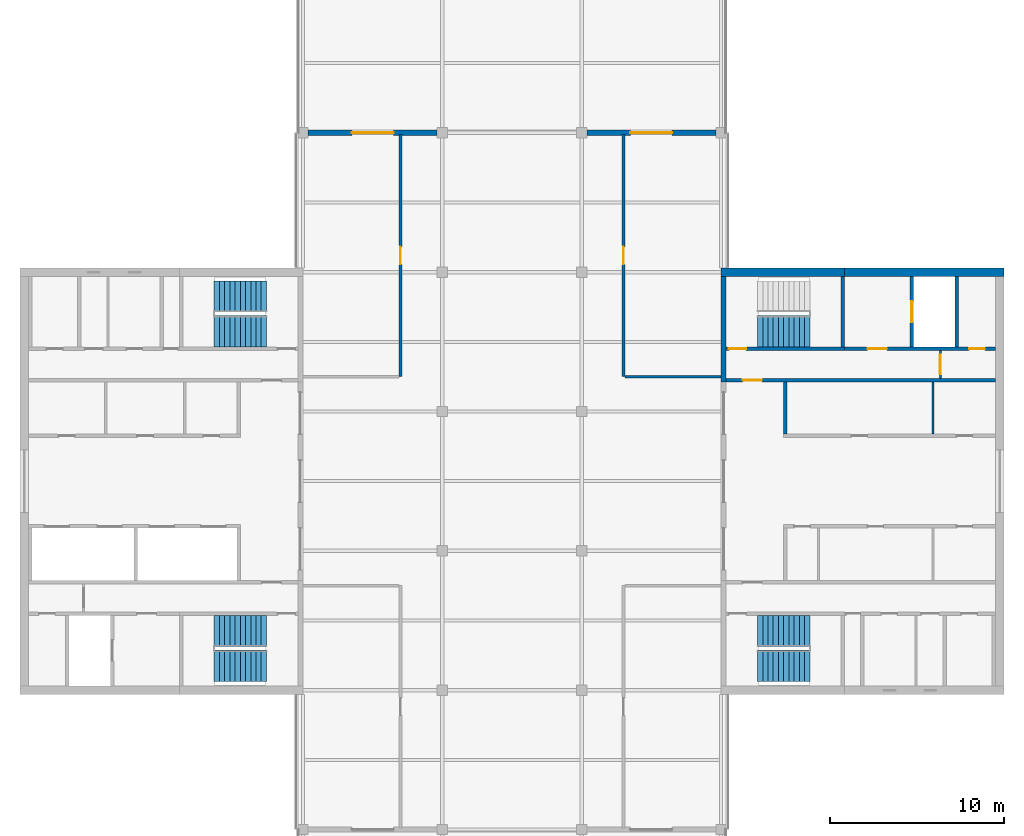
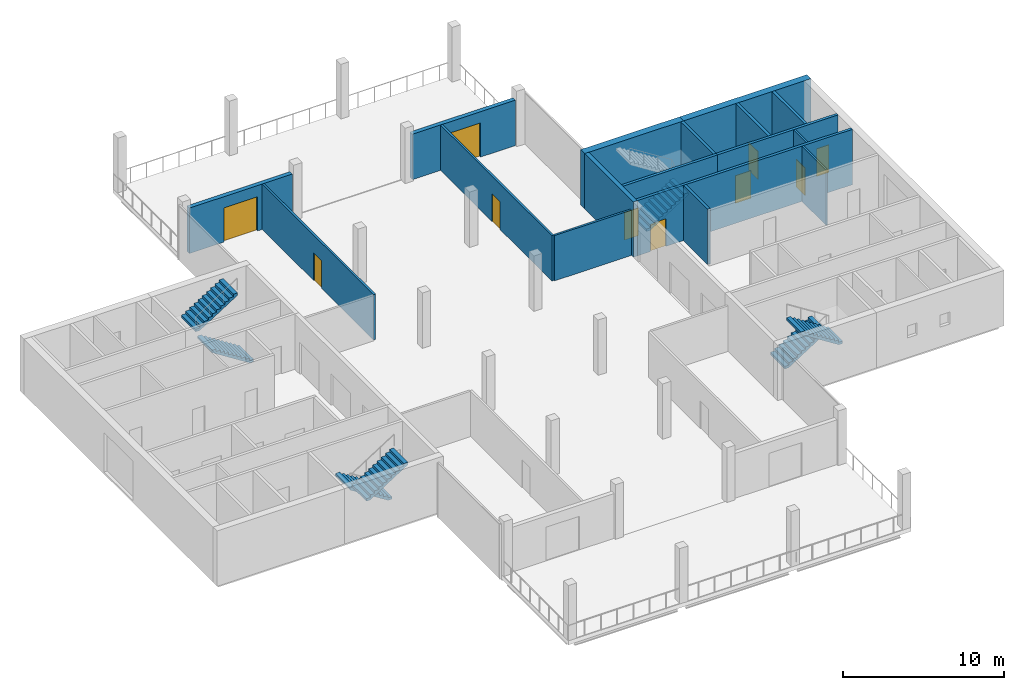
# One storey, part 10 of 12: 17 walls, 10 doors, 7 stair flights, 10 openings, 4 elements without a shape of their own.
"""IFC4 building model written with IfcOpenShell, lengths in metres."""

from ifc_helpers import new_model, si_unit, direction, frame, frame_2d, origin, place, context, subcontext, project, spatial, polyline, rectangle, outline, extrude, material, layer, layer_set, constituent, constituent_set, type_object, element, fill, aggregate, save


model = new_model("IFC4")

# Units and contexts
model_context = context("Model", 3, precision=1e-05, world=origin(), true_north=direction((0.0, 1.0)))
body_context = subcontext(model_context, "Body", "Model", "MODEL_VIEW")
ifc_project = project(units=[si_unit("LENGTHUNIT", "METRE"), si_unit("AREAUNIT", "SQUARE_METRE"), si_unit("VOLUMEUNIT", "CUBIC_METRE"), si_unit("PLANEANGLEUNIT", "RADIAN"), si_unit("MASSUNIT", "GRAM", prefix="KILO")], contexts=[model_context])

# Site, building, storey
site_placement = place(None, origin())
site = spatial("IfcSite", under=ifc_project, at=site_placement, CompositionType="ELEMENT")
building_placement = place(site_placement, origin())
building = spatial("IfcBuilding", under=site, at=building_placement, Name="Crosswind Convention Tower", CompositionType="ELEMENT")
storey_placement = place(building_placement, frame((0.0, 0.0, 328.10009765625)))
storey = spatial("IfcBuildingStorey", under=building, at=storey_placement, Name="L71", CompositionType="ELEMENT", Elevation=328.10009765625)

# Walls
ifc_material_1 = material(Name="Concrete C50/60", Category="concrete")
ifc_layer_1 = layer(ifc_material_1, 0.300048828125)
ifc_layer_set_1 = layer_set([ifc_layer_1], Name="Concrete C50/60")
wall_type_1 = type_object("IfcWallType", Name="Concrete inner core wall 300", PredefinedType="SHEAR", material=ifc_layer_set_1)
wall_1_placement = place(storey_placement, frame((137.14990234375, 105.699951171875, 0.0), z_axis=(0.0, 0.0, 1.0), x_axis=(0.0, 1.0, 0.0)))
element("IfcWall", 1, at=wall_1_placement, inside=storey, type_object=wall_type_1, Name="Wall EP E L71", PredefinedType="SHEAR", context=body_context, shape_type="SweptSolid", body=[
    extrude(rectangle(XDim=6.050048828125, YDim=0.300048828125, at=frame_2d((3.02490234375, 0.0))), origin(), (0.0, 0.0, 1.0), 4.199951171875),
])
ifc_layer_2 = layer(ifc_material_1, 0.199951171875)
ifc_layer_set_2 = layer_set([ifc_layer_2], Name="Concrete C50/60")
wall_type_2 = type_object("IfcWallType", Name="Concrete shaft and stair wall 200", PredefinedType="SHEAR", material=ifc_layer_set_2)
wall_2_placement = place(storey_placement, frame((140.699951171875, 102.699951171875, 0.0), z_axis=(0.0, 0.0, 1.0), x_axis=(0.0, 1.0, 0.0)))
element("IfcWall", 2, at=wall_2_placement, inside=storey, type_object=wall_type_2, Name="Wall RPEND E L71", PredefinedType="SHEAR", context=body_context, shape_type="SweptSolid", body=[
    extrude(rectangle(XDim=3.0, YDim=0.199951171875, at=frame_2d((1.5, 0.0))), origin(), (0.0, 0.0, 1.0), 4.199951171875),
])

# Wall, opening, door
wall_3_placement = place(storey_placement, frame((137.300048828125, 105.800048828125, 0.0), z_axis=(0.0, 0.0, 1.0), x_axis=(1.0, 0.0, 0.0)))
wall_3 = element("IfcWall", 3, at=wall_3_placement, inside=storey, type_object=wall_type_2, Name="Wall HP E L71", PredefinedType="SHEAR", context=body_context, shape_type="SweptSolid", body=[
    extrude(rectangle(XDim=15.449951171875, YDim=0.199951171875, at=frame_2d((7.72509765625, 0.0))), origin(), (0.0, 0.0, 1.0), 4.199951171875),
])
opening_1_placement = place(wall_3_placement, frame((0.949951171875, 0.0, 0.0)))
opening_1 = element("IfcOpeningElement", 4, at=opening_1_placement, cuts=wall_3, Name="Opening D104", PredefinedType="OPENING", context=body_context, shape_type="SweptSolid", body=[
    extrude(rectangle(XDim=1.10009765625, YDim=2.10009765625, at=frame_2d((0.550048828125, 1.050048828125))), frame((0.0, 0.10986328125, 0.0), z_axis=(0.0, -1.0, 0.0), x_axis=(1.0, 0.0, 0.0)), (0.0, 0.0, 1.0), 0.219970703125),
])
ifc_material_2 = material(Name="Steel fire door", Category="steel")
door_type_1 = type_object("IfcDoorType", Name="Fire-rated single door 1100x2100", OperationType="NOTDEFINED", PredefinedType="DOOR", material=ifc_material_2)
door_1_placement = place(opening_1_placement, origin())
door_1 = element("IfcDoor", 5, at=door_1_placement, inside=storey, type_object=door_type_1, Name="Corridor door L71", ObjectType="D104", OperationType="SINGLE_SWING_LEFT", OverallHeight=2.10009765625, OverallWidth=1.10009765625, PredefinedType="DOOR", context=body_context, shape_type="SweptSolid", body=[
    extrude(rectangle(XDim=1.10009765625, YDim=2.10009765625, at=frame_2d((0.550048828125, 1.050048828125))), frame((0.0, 0.02490234375, 0.0), z_axis=(0.0, -1.0, 0.0), x_axis=(1.0, 0.0, 0.0)), (0.0, 0.0, 1.0), 0.050048828125),
])
fill(opening_1, door_1)

# Wall
wall_4_placement = place(storey_placement, frame((144.0, 107.699951171875, 0.0), z_axis=(0.0, 0.0, 1.0), x_axis=(0.0, 1.0, 0.0)))
element("IfcWall", 6, at=wall_4_placement, inside=storey, type_object=wall_type_2, Name="Wall PSE E L71", PredefinedType="SHEAR", context=body_context, shape_type="SweptSolid", body=[
    extrude(rectangle(XDim=4.050048828125, YDim=0.199951171875, at=frame_2d((2.02490234375, 0.0))), origin(), (0.0, 0.0, 1.0), 4.199951171875),
])

# Wall, opening, door
wall_5_placement = place(storey_placement, frame((147.949951171875, 107.699951171875, 0.0), z_axis=(0.0, 0.0, 1.0), x_axis=(0.0, 1.0, 0.0)))
wall_5 = element("IfcWall", 7, at=wall_5_placement, inside=storey, type_object=wall_type_2, Name="Wall PFLW E L71", PredefinedType="SHEAR", context=body_context, shape_type="SweptSolid", body=[
    extrude(rectangle(XDim=4.050048828125, YDim=0.199951171875, at=frame_2d((2.02490234375, 0.0))), origin(), (0.0, 0.0, 1.0), 4.199951171875),
])
opening_2_placement = place(wall_5_placement, frame((1.425048828125, 0.0, 0.0)))
opening_2 = element("IfcOpeningElement", 8, at=opening_2_placement, cuts=wall_5, Name="Opening LD1", PredefinedType="OPENING", context=body_context, shape_type="SweptSolid", body=[
    extrude(rectangle(XDim=1.199951171875, YDim=2.10009765625, at=frame_2d((0.60009765625, 1.050048828125))), frame((0.0, 0.10986328125, 0.0), z_axis=(0.0, -1.0, 0.0), x_axis=(1.0, 0.0, 0.0)), (0.0, 0.0, 1.0), 0.219970703125),
])
ifc_material_3 = material(Name="Stainless steel", Category="steel")
door_type_2 = type_object("IfcDoorType", Name="Lift landing door 1200x2100", OperationType="DOUBLE_DOOR_SLIDING", PredefinedType="DOOR", material=ifc_material_3)
door_2_placement = place(opening_2_placement, origin())
door_2 = element("IfcDoor", 9, at=door_2_placement, inside=storey, type_object=door_type_2, Name="Landing door FF1 L71", ObjectType="LD1", OperationType="DOUBLE_DOOR_SLIDING", OverallHeight=2.10009765625, OverallWidth=1.199951171875, PredefinedType="DOOR", context=body_context, shape_type="SweptSolid", body=[
    extrude(rectangle(XDim=1.199951171875, YDim=2.10009765625, at=frame_2d((0.60009765625, 1.050048828125))), frame((0.0, 0.02490234375, 0.0), z_axis=(0.0, -1.0, 0.0), x_axis=(1.0, 0.0, 0.0)), (0.0, 0.0, 1.0), 0.050048828125),
])
fill(opening_2, door_2)

# Wall
wall_6_placement = place(storey_placement, frame((150.550048828125, 107.699951171875, 0.0), z_axis=(0.0, 0.0, 1.0), x_axis=(0.0, 1.0, 0.0)))
element("IfcWall", 10, at=wall_6_placement, inside=storey, type_object=wall_type_2, Name="Wall PFSE E L71", PredefinedType="SHEAR", context=body_context, shape_type="SweptSolid", body=[
    extrude(rectangle(XDim=4.050048828125, YDim=0.199951171875, at=frame_2d((2.02490234375, 0.0))), origin(), (0.0, 0.0, 1.0), 4.199951171875),
])

# Wall, opening, door
wall_7_placement = place(storey_placement, frame((137.300048828125, 107.60009765625, 0.0), z_axis=(0.0, 0.0, 1.0), x_axis=(1.0, 0.0, 0.0)))
wall_7 = element("IfcWall", 11, at=wall_7_placement, inside=storey, type_object=wall_type_2, Name="Wall PCW E L71", PredefinedType="SHEAR", context=body_context, shape_type="SweptSolid", body=[
    extrude(rectangle(XDim=6.800048828125, YDim=0.199951171875, at=frame_2d((3.39990234375, 0.0))), origin(), (0.0, 0.0, 1.0), 4.199951171875),
])
opening_3_placement = place(wall_7_placement, frame((0.14990234375, 0.0, 0.0)))
opening_3 = element("IfcOpeningElement", 12, at=opening_3_placement, cuts=wall_7, Name="Opening D103", PredefinedType="OPENING", context=body_context, shape_type="SweptSolid", body=[
    extrude(rectangle(XDim=1.0, YDim=2.10009765625, at=frame_2d((0.5, 1.050048828125))), frame((0.0, 0.10986328125, 0.0), z_axis=(0.0, -1.0, 0.0), x_axis=(1.0, 0.0, 0.0)), (0.0, 0.0, 1.0), 0.219970703125),
])
door_type_3 = type_object("IfcDoorType", Name="Fire-rated single door 1000x2100", OperationType="NOTDEFINED", PredefinedType="DOOR", material=ifc_material_2)
door_3_placement = place(opening_3_placement, origin())
door_3 = element("IfcDoor", 13, at=door_3_placement, inside=storey, type_object=door_type_3, Name="Stair ST1 door L71", ObjectType="D103", OperationType="SINGLE_SWING_LEFT", OverallHeight=2.10009765625, OverallWidth=1.0, PredefinedType="DOOR", context=body_context, shape_type="SweptSolid", body=[
    extrude(rectangle(XDim=1.0, YDim=2.10009765625, at=frame_2d((0.5, 1.050048828125))), frame((0.0, 0.02490234375, 0.0), z_axis=(0.0, -1.0, 0.0), x_axis=(1.0, 0.0, 0.0)), (0.0, 0.0, 1.0), 0.050048828125),
])
fill(opening_3, door_3)

# Wall, openings, doors
wall_8_placement = place(storey_placement, frame((144.10009765625, 107.60009765625, 0.0), z_axis=(0.0, 0.0, 1.0), x_axis=(1.0, 0.0, 0.0)))
wall_8 = element("IfcWall", 14, at=wall_8_placement, inside=storey, type_object=wall_type_2, Name="Wall PCX E L71", PredefinedType="SHEAR", context=body_context, shape_type="SweptSolid", body=[
    extrude(rectangle(XDim=8.64990234375, YDim=0.199951171875, at=frame_2d((4.324951171875, 0.0))), origin(), (0.0, 0.0, 1.0), 4.199951171875),
])
opening_4_placement = place(wall_8_placement, frame((1.324951171875, 0.0, 0.0)))
opening_4 = element("IfcOpeningElement", 15, at=opening_4_placement, cuts=wall_8, Name="Opening D104", PredefinedType="OPENING", context=body_context, shape_type="SweptSolid", body=[
    extrude(rectangle(XDim=1.10009765625, YDim=2.10009765625, at=frame_2d((0.550048828125, 1.050048828125))), frame((0.0, 0.10986328125, 0.0), z_axis=(0.0, -1.0, 0.0), x_axis=(1.0, 0.0, 0.0)), (0.0, 0.0, 1.0), 0.219970703125),
])
opening_5_placement = place(wall_8_placement, frame((7.14990234375, 0.0, 0.0)))
opening_5 = element("IfcOpeningElement", 16, at=opening_5_placement, cuts=wall_8, Name="Opening D106", PredefinedType="OPENING", context=body_context, shape_type="SweptSolid", body=[
    extrude(rectangle(XDim=0.89990234375, YDim=2.10009765625, at=frame_2d((0.449951171875, 1.050048828125))), frame((0.0, 0.10986328125, 0.0), z_axis=(0.0, -1.0, 0.0), x_axis=(1.0, 0.0, 0.0)), (0.0, 0.0, 1.0), 0.219970703125),
])
door_4_placement = place(opening_4_placement, origin())
door_4 = element("IfcDoor", 17, at=door_4_placement, inside=storey, type_object=door_type_1, Name="Fire-fighting lobby FF1 door L71", ObjectType="D104", OperationType="SINGLE_SWING_RIGHT", OverallHeight=2.10009765625, OverallWidth=1.10009765625, PredefinedType="DOOR", context=body_context, shape_type="SweptSolid", body=[
    extrude(rectangle(XDim=1.10009765625, YDim=2.10009765625, at=frame_2d((0.550048828125, 1.050048828125))), frame((0.0, 0.02490234375, 0.0), z_axis=(0.0, -1.0, 0.0), x_axis=(1.0, 0.0, 0.0)), (0.0, 0.0, 1.0), 0.050048828125),
])
fill(opening_4, door_4)
ifc_material_4 = material(Name="Timber door", Category="wood")
door_type_4 = type_object("IfcDoorType", Name="Single leaf door 900x2100", OperationType="NOTDEFINED", PredefinedType="DOOR", material=ifc_material_4)
door_5_placement = place(opening_5_placement, origin())
door_5 = element("IfcDoor", 18, at=door_5_placement, inside=storey, type_object=door_type_4, Name="Door to telecoms room L71", ObjectType="D106", OperationType="SINGLE_SWING_RIGHT", OverallHeight=2.10009765625, OverallWidth=0.89990234375, PredefinedType="DOOR", context=body_context, shape_type="SweptSolid", body=[
    extrude(rectangle(XDim=0.89990234375, YDim=2.10009765625, at=frame_2d((0.449951171875, 1.050048828125))), frame((0.0, 0.02490234375, 0.0), z_axis=(0.0, -1.0, 0.0), x_axis=(1.0, 0.0, 0.0)), (0.0, 0.0, 1.0), 0.050048828125),
])
fill(opening_5, door_5)

# Wall
ifc_material_5 = material(Name="Gypsum plasterboard partition", Category="gypsum")
ifc_layer_3 = layer(ifc_material_5, 0.125)
ifc_layer_set_3 = layer_set([ifc_layer_3], Name="Drywall partition wall 125")
wall_type_3 = type_object("IfcWallType", Name="Drywall partition wall 125", PredefinedType="PARTITIONING", material=ifc_layer_set_3)
wall_9_placement = place(storey_placement, frame((149.1650390625, 102.699951171875, 0.0), z_axis=(0.0, 0.0, 1.0), x_axis=(0.0, 1.0, 0.0)))
element("IfcWall", 19, at=wall_9_placement, inside=storey, type_object=wall_type_3, Name="Wall RPP1 E L71", PredefinedType="PARTITIONING", context=body_context, shape_type="SweptSolid", body=[
    extrude(rectangle(XDim=3.0, YDim=0.125, at=frame_2d((1.5, 0.0))), origin(), (0.0, 0.0, 1.0), 4.199951171875),
])

# Wall, opening, door
wall_10_placement = place(storey_placement, frame((149.60009765625, 105.89990234375, 0.0), z_axis=(0.0, 0.0, 1.0), x_axis=(0.0, 1.0, 0.0)))
wall_10 = element("IfcWall", 20, at=wall_10_placement, inside=storey, type_object=wall_type_3, Name="Wall PXC1 E L71", PredefinedType="PARTITIONING", context=body_context, shape_type="SweptSolid", body=[
    extrude(rectangle(XDim=1.60009765625, YDim=0.125, at=frame_2d((0.800048828125, 0.0))), origin(), (0.0, 0.0, 1.0), 4.199951171875),
])
opening_6_placement = place(wall_10_placement, frame((0.25, 0.0, 0.0)))
opening_6 = element("IfcOpeningElement", 21, at=opening_6_placement, cuts=wall_10, Name="Opening D104", PredefinedType="OPENING", context=body_context, shape_type="SweptSolid", body=[
    extrude(rectangle(XDim=1.10009765625, YDim=2.10009765625, at=frame_2d((0.550048828125, 1.050048828125))), frame((0.0, 0.072509765625, 0.0), z_axis=(0.0, -1.0, 0.0), x_axis=(1.0, 0.0, 0.0)), (0.0, 0.0, 1.0), 0.14501953125),
])
door_6_placement = place(opening_6_placement, origin())
door_6 = element("IfcDoor", 22, at=door_6_placement, inside=storey, type_object=door_type_1, Name="Corridor smoke door L71", ObjectType="D104", OperationType="SINGLE_SWING_RIGHT", OverallHeight=2.10009765625, OverallWidth=1.10009765625, PredefinedType="DOOR", context=body_context, shape_type="SweptSolid", body=[
    extrude(rectangle(XDim=1.10009765625, YDim=2.10009765625, at=frame_2d((0.550048828125, 1.050048828125))), frame((0.0, 0.02490234375, 0.0), z_axis=(0.0, -1.0, 0.0), x_axis=(1.0, 0.0, 0.0)), (0.0, 0.0, 1.0), 0.050048828125),
])
fill(opening_6, door_6)

ifc_material_6 = material(Name="Fire-board partition with mineral wool", Category="gypsum")
ifc_layer_4 = layer(ifc_material_6, 0.14990234375)
ifc_layer_set_4 = layer_set([ifc_layer_4], Name="TENANCY WALL 150 TWO-HOUR BOARD")
wall_type_4 = type_object("IfcWallType", Name="TENANCY WALL 150 TWO-HOUR BOARD", PredefinedType="PARTITIONING", material=ifc_layer_set_4)
wall_11_placement = place(storey_placement, frame((118.60009765625, 106.0, 0.0), z_axis=(0.0, 0.0, 1.0), x_axis=(0.0, 1.0, 0.0)))
wall_11 = element("IfcWall", 23, at=wall_11_placement, inside=storey, type_object=wall_type_4, Name="Tenancy wall WT41", PredefinedType="PARTITIONING", context=body_context, shape_type="SweptSolid", body=[
    extrude(rectangle(XDim=13.89990234375, YDim=0.14990234375, at=frame_2d((6.949951171875, 0.0))), origin(), (0.0, 0.0, 1.0), 3.442626953125),
])
opening_7_placement = place(wall_11_placement, frame((6.449951171875, 0.0, 0.0)))
opening_7 = element("IfcOpeningElement", 24, at=opening_7_placement, cuts=wall_11, Name="Opening L71-52", PredefinedType="OPENING", context=body_context, shape_type="SweptSolid", body=[
    extrude(rectangle(XDim=1.0, YDim=2.10009765625, at=frame_2d((0.5, 1.050048828125))), frame((0.0, 0.0849609375, 0.0), z_axis=(0.0, -1.0, 0.0), x_axis=(1.0, 0.0, 0.0)), (0.0, 0.0, 1.0), 0.169921875),
])
ifc_material_7 = material(Name="Timber fire door", Category="wood")
door_type_5 = type_object("IfcDoorType", Name="TENANCY ENTRANCE DOOR 1000X2100 FD30S", OperationType="NOTDEFINED", PredefinedType="DOOR", material=ifc_material_7)
door_7_placement = place(opening_7_placement, origin())
door_7 = element("IfcDoor", 25, at=door_7_placement, inside=storey, type_object=door_type_5, Name="Door L71-52", ObjectType="D41", OperationType="SINGLE_SWING_RIGHT", OverallHeight=2.10009765625, OverallWidth=1.0, PredefinedType="DOOR", context=body_context, shape_type="SweptSolid", body=[
    extrude(rectangle(XDim=1.0, YDim=2.10009765625, at=frame_2d((0.5, 1.050048828125))), frame((0.0, 0.02490234375, 0.0), z_axis=(0.0, -1.0, 0.0), x_axis=(1.0, 0.0, 0.0)), (0.0, 0.0, 1.0), 0.050048828125),
])
fill(opening_7, door_7)

wall_12_placement = place(storey_placement, frame((131.39990234375, 106.0, 0.0), z_axis=(0.0, 0.0, 1.0), x_axis=(0.0, 1.0, 0.0)))
wall_12 = element("IfcWall", 26, at=wall_12_placement, inside=storey, type_object=wall_type_4, Name="Tenancy wall WT41", PredefinedType="PARTITIONING", context=body_context, shape_type="SweptSolid", body=[
    extrude(rectangle(XDim=13.89990234375, YDim=0.14990234375, at=frame_2d((6.949951171875, 0.0))), origin(), (0.0, 0.0, 1.0), 3.442626953125),
])
opening_8_placement = place(wall_12_placement, frame((6.449951171875, 0.0, 0.0)))
opening_8 = element("IfcOpeningElement", 27, at=opening_8_placement, cuts=wall_12, Name="Opening L71-50", PredefinedType="OPENING", context=body_context, shape_type="SweptSolid", body=[
    extrude(rectangle(XDim=1.0, YDim=2.10009765625, at=frame_2d((0.5, 1.050048828125))), frame((0.0, 0.0849609375, 0.0), z_axis=(0.0, -1.0, 0.0), x_axis=(1.0, 0.0, 0.0)), (0.0, 0.0, 1.0), 0.169921875),
])
door_8_placement = place(opening_8_placement, frame((1.0, 0.0, 0.0), z_axis=(0.0, 0.0, 1.0), x_axis=(-1.0, 0.0, 0.0)))
door_8 = element("IfcDoor", 28, at=door_8_placement, inside=storey, type_object=door_type_5, Name="Door L71-50", ObjectType="D41", OperationType="SINGLE_SWING_LEFT", OverallHeight=2.10009765625, OverallWidth=1.0, PredefinedType="DOOR", context=body_context, shape_type="SweptSolid", body=[
    extrude(rectangle(XDim=1.0, YDim=2.10009765625, at=frame_2d((0.5, 1.050048828125))), frame((0.0, 0.02490234375, 0.0), z_axis=(0.0, -1.0, 0.0), x_axis=(1.0, 0.0, 0.0)), (0.0, 0.0, 1.0), 0.050048828125),
])
fill(opening_8, door_8)

# Wall
wall_13_placement = place(storey_placement, frame((131.47509765625, 106.0, 0.0), z_axis=(0.0, 0.0, 1.0), x_axis=(1.0, 0.0, 0.0)))
element("IfcWall", 29, at=wall_13_placement, inside=storey, type_object=wall_type_4, Name="Tenancy wall WT41", PredefinedType="PARTITIONING", context=body_context, shape_type="SweptSolid", body=[
    extrude(rectangle(XDim=5.52490234375, YDim=0.14990234375, at=frame_2d((2.762451171875, 0.0))), origin(), (0.0, 0.0, 1.0), 3.442626953125),
])

# Wall, opening, door
ifc_material_8 = material(Name="Terracotta rainscreen", Category="ceramic")
ifc_layer_5 = layer(ifc_material_8, 0.02001953125)
ifc_material_9 = material(Name="Mineral wool insulation", Category="insulation")
ifc_layer_6 = layer(ifc_material_9, 0.10009765625)
ifc_material_10 = material(Name="Concrete blockwork", Category="masonry")
ifc_layer_7 = layer(ifc_material_10, 0.179931640625)
ifc_layer_set_5 = layer_set([ifc_layer_5, ifc_layer_6, ifc_layer_7], Name="TERRACOTTA INFILL WALL 300")
wall_type_5 = type_object("IfcWallType", Name="TERRACOTTA INFILL WALL 300", PredefinedType="SOLIDWALL", material=ifc_layer_set_5)
wall_14_placement = place(storey_placement, frame((113.300048828125, 120.0, 0.0), z_axis=(0.0, 0.0, 1.0), x_axis=(1.0, 0.0, 0.0)))
wall_14 = element("IfcWall", 30, at=wall_14_placement, inside=storey, type_object=wall_type_5, Name="Portal front wall L71 N 1", PredefinedType="SOLIDWALL", context=body_context, shape_type="SweptSolid", body=[
    extrude(rectangle(XDim=7.39990234375, YDim=0.300048828125, at=frame_2d((3.699951171875, 0.0))), origin(), (0.0, 0.0, 1.0), 3.4462890625),
])
opening_9_placement = place(wall_14_placement, frame((2.5, 0.0, 0.0)))
opening_9 = element("IfcOpeningElement", 31, at=opening_9_placement, cuts=wall_14, Name="Opening D142", PredefinedType="OPENING", context=body_context, shape_type="SweptSolid", body=[
    extrude(rectangle(XDim=2.39990234375, YDim=2.60009765625, at=frame_2d((1.199951171875, 1.300048828125))), frame((0.0, 0.159912109375, 0.0), z_axis=(0.0, -1.0, 0.0), x_axis=(1.0, 0.0, 0.0)), (0.0, 0.0, 1.0), 0.320068359375),
])
ifc_material_11 = material(Name="Aluminium glazed door", Category="aluminium")
door_type_6 = type_object("IfcDoorType", Name="SKY DECK DOUBLE DOOR 2400X2600", OperationType="DOUBLE_DOOR_SINGLE_SWING", PredefinedType="DOOR", material=ifc_material_11)
door_9_placement = place(opening_9_placement, origin())
door_9 = element("IfcDoor", 32, at=door_9_placement, inside=storey, type_object=door_type_6, Name="D142 sky deck door L71 N 1", ObjectType="D142", OperationType="DOUBLE_DOOR_SINGLE_SWING", OverallHeight=2.60009765625, OverallWidth=2.39990234375, PredefinedType="DOOR", context=body_context, shape_type="SweptSolid", body=[
    extrude(rectangle(XDim=2.39990234375, YDim=2.60009765625, at=frame_2d((1.199951171875, 1.300048828125))), frame((0.0, 0.02490234375, 0.0), z_axis=(0.0, -1.0, 0.0), x_axis=(1.0, 0.0, 0.0)), (0.0, 0.0, 1.0), 0.050048828125),
])
fill(opening_9, door_9)

wall_15_placement = place(storey_placement, frame((129.300048828125, 120.0, 0.0), z_axis=(0.0, 0.0, 1.0), x_axis=(1.0, 0.0, 0.0)))
wall_15 = element("IfcWall", 33, at=wall_15_placement, inside=storey, type_object=wall_type_5, Name="Portal front wall L71 N 3", PredefinedType="SOLIDWALL", context=body_context, shape_type="SweptSolid", body=[
    extrude(rectangle(XDim=7.39990234375, YDim=0.300048828125, at=frame_2d((3.699951171875, 0.0))), origin(), (0.0, 0.0, 1.0), 3.4462890625),
])
opening_10_placement = place(wall_15_placement, frame((2.5, 0.0, 0.0)))
opening_10 = element("IfcOpeningElement", 34, at=opening_10_placement, cuts=wall_15, Name="Opening D142", PredefinedType="OPENING", context=body_context, shape_type="SweptSolid", body=[
    extrude(rectangle(XDim=2.39990234375, YDim=2.60009765625, at=frame_2d((1.199951171875, 1.300048828125))), frame((0.0, 0.159912109375, 0.0), z_axis=(0.0, -1.0, 0.0), x_axis=(1.0, 0.0, 0.0)), (0.0, 0.0, 1.0), 0.320068359375),
])
door_10_placement = place(opening_10_placement, origin())
door_10 = element("IfcDoor", 35, at=door_10_placement, inside=storey, type_object=door_type_6, Name="D142 sky deck door L71 N 3", ObjectType="D142", OperationType="DOUBLE_DOOR_SINGLE_SWING", OverallHeight=2.60009765625, OverallWidth=2.39990234375, PredefinedType="DOOR", context=body_context, shape_type="SweptSolid", body=[
    extrude(rectangle(XDim=2.39990234375, YDim=2.60009765625, at=frame_2d((1.199951171875, 1.300048828125))), frame((0.0, 0.02490234375, 0.0), z_axis=(0.0, -1.0, 0.0), x_axis=(1.0, 0.0, 0.0)), (0.0, 0.0, 1.0), 0.050048828125),
])
fill(opening_10, door_10)

# Walls
ifc_material_12 = material(Name="Concrete C60/75", Category="concrete")
ifc_constituent_1 = constituent(ifc_material_12, Name="Structure")
ifc_constituent_2 = constituent(ifc_material_8, Name="Facing")
ifc_constituent_set = constituent_set(constituents=[ifc_constituent_1, ifc_constituent_2], Name="Concrete C60/75, Terracotta rainscreen")
wall_type_6 = type_object("IfcWallType", Name="Terracotta rainscreen on concrete core wall 500", PredefinedType="SHEAR", material=ifc_constituent_set)
wall_16_placement = place(storey_placement, frame((137.0, 112.0, 0.0), z_axis=(0.0, 0.0, 1.0), x_axis=(1.0, 0.0, 0.0)))
element("IfcWall", 36, at=wall_16_placement, inside=storey, type_object=wall_type_6, Name="Wall N1 E L71", PredefinedType="SHEAR", context=body_context, shape_type="SweptSolid", body=[
    extrude(rectangle(XDim=7.10009765625, YDim=0.5, at=frame_2d((3.550048828125, 0.0))), origin(), (0.0, 0.0, 1.0), 4.199951171875),
])
wall_17_placement = place(storey_placement, frame((144.10009765625, 112.0, 0.0), z_axis=(0.0, 0.0, 1.0), x_axis=(1.0, 0.0, 0.0)))
element("IfcWall", 37, at=wall_17_placement, inside=storey, type_object=wall_type_6, Name="Wall N2 E L71", PredefinedType="SHEAR", context=body_context, shape_type="SweptSolid", body=[
    extrude(rectangle(XDim=9.14990234375, YDim=0.5, at=frame_2d((4.574951171875, 0.0))), origin(), (0.0, 0.0, 1.0), 4.199951171875),
])

# Stair, stair flight
ifc_material_13 = material(Name="Concrete C40/50", Category="concrete")
stair_type = type_object("IfcStairType", Name="Exit stair 1800 wide, 2 flights of 11 risers", PredefinedType="HALF_TURN_STAIR", material=ifc_material_13)
stair_1_placement = place(storey_placement, origin())
stair_1 = element("IfcStair", 38, at=stair_1_placement, inside=storey, type_object=stair_type, Name="Exit stair ST1 L71", ObjectType="ST5", PredefinedType="HALF_TURN_STAIR")
stair_flight_type = type_object("IfcStairFlightType", Name="Stair flight 1800 wide, 11 risers (SF4)", PredefinedType="STRAIGHT", material=ifc_material_13)
stair_flight_1_placement = place(storey_placement, frame((139.10009765625, 108.60009765625, 0.0), z_axis=(0.0, 0.0, 1.0), x_axis=(1.0, 0.0, 0.0)))
stair_flight_1 = element("IfcStairFlight", 39, at=stair_flight_1_placement, type_object=stair_flight_type, Name="ST1 flight 1", NumberOfRisers=11, NumberOfTreads=10, PredefinedType="STRAIGHT", RiserHeight=0.190909091, TreadLength=0.3, context=body_context, shape_type="SweptSolid", body=[
    extrude(outline(polyline([(0.0, 0.0), (0.0, 0.19091796875), (0.300048828125, 0.19091796875), (0.300048828125, 0.3818359375), (0.60009765625, 0.3818359375), (0.60009765625, 0.57275390625), (0.89990234375, 0.57275390625), (0.89990234375, 0.763671875), (1.199951171875, 0.763671875), (1.199951171875, 0.95458984375), (1.5, 0.95458984375), (1.5, 1.1455078125), (1.800048828125, 1.1455078125), (1.800048828125, 1.33642578125), (2.10009765625, 1.33642578125), (2.10009765625, 1.52734375), (2.39990234375, 1.52734375), (2.39990234375, 1.71826171875), (2.699951171875, 1.71826171875), (2.699951171875, 1.9091796875), (3.0, 1.9091796875), (3.0, 2.10009765625), (3.0, 1.7314453125), (0.279296875, 0.0), (0.0, 0.0)])), frame((0.0, 0.89990234375, 0.0), z_axis=(0.0, -1.0, 0.0), x_axis=(1.0, 0.0, 0.0)), (0.0, 0.0, 1.0), 1.800048828125),
])
aggregate(stair_1, [stair_flight_1])

# Stair, stair flights
stair_2_placement = place(storey_placement, origin())
stair_2 = element("IfcStair", 40, at=stair_2_placement, inside=storey, type_object=stair_type, Name="Exit stair ST2 L71", ObjectType="ST5", PredefinedType="HALF_TURN_STAIR")
stair_flight_2_placement = place(storey_placement, frame((139.10009765625, 91.39990234375, 0.0), z_axis=(0.0, 0.0, 1.0), x_axis=(1.0, 0.0, 0.0)))
stair_flight_2 = element("IfcStairFlight", 41, at=stair_flight_2_placement, type_object=stair_flight_type, Name="ST2 flight 1", NumberOfRisers=11, NumberOfTreads=10, PredefinedType="STRAIGHT", RiserHeight=0.190909091, TreadLength=0.3, context=body_context, shape_type="SweptSolid", body=[
    extrude(outline(polyline([(0.0, 0.0), (0.0, 0.19091796875), (0.300048828125, 0.19091796875), (0.300048828125, 0.3818359375), (0.60009765625, 0.3818359375), (0.60009765625, 0.57275390625), (0.89990234375, 0.57275390625), (0.89990234375, 0.763671875), (1.199951171875, 0.763671875), (1.199951171875, 0.95458984375), (1.5, 0.95458984375), (1.5, 1.1455078125), (1.800048828125, 1.1455078125), (1.800048828125, 1.33642578125), (2.10009765625, 1.33642578125), (2.10009765625, 1.52734375), (2.39990234375, 1.52734375), (2.39990234375, 1.71826171875), (2.699951171875, 1.71826171875), (2.699951171875, 1.9091796875), (3.0, 1.9091796875), (3.0, 2.10009765625), (3.0, 1.7314453125), (0.279296875, 0.0), (0.0, 0.0)])), frame((0.0, 0.89990234375, 0.0), z_axis=(0.0, -1.0, 0.0), x_axis=(1.0, 0.0, 0.0)), (0.0, 0.0, 1.0), 1.800048828125),
])
stair_flight_3_placement = place(storey_placement, frame((142.10009765625, 89.39990234375, 2.099853515625), z_axis=(0.0, 0.0, 1.0), x_axis=(-1.0, 0.0, 0.0)))
stair_flight_3 = element("IfcStairFlight", 42, at=stair_flight_3_placement, type_object=stair_flight_type, Name="ST2 flight 2", NumberOfRisers=11, NumberOfTreads=10, PredefinedType="STRAIGHT", RiserHeight=0.190909091, TreadLength=0.3, context=body_context, shape_type="SweptSolid", body=[
    extrude(outline(polyline([(0.0, 0.0), (0.0, 0.19091796875), (0.300048828125, 0.19091796875), (0.300048828125, 0.3818359375), (0.60009765625, 0.3818359375), (0.60009765625, 0.57275390625), (0.89990234375, 0.57275390625), (0.89990234375, 0.763671875), (1.199951171875, 0.763671875), (1.199951171875, 0.95458984375), (1.5, 0.95458984375), (1.5, 1.1455078125), (1.800048828125, 1.1455078125), (1.800048828125, 1.33642578125), (2.10009765625, 1.33642578125), (2.10009765625, 1.52734375), (2.39990234375, 1.52734375), (2.39990234375, 1.71826171875), (2.699951171875, 1.71826171875), (2.699951171875, 1.9091796875), (3.0, 1.9091796875), (3.0, 2.10009765625), (3.0, 1.7314453125), (0.279296875, 0.0), (0.0, 0.0)])), frame((0.0, 0.89990234375, 0.0), z_axis=(0.0, -1.0, 0.0), x_axis=(1.0, 0.0, 0.0)), (0.0, 0.0, 1.0), 1.800048828125),
])
aggregate(stair_2, [stair_flight_2, stair_flight_3])

stair_3_placement = place(storey_placement, origin())
stair_3 = element("IfcStair", 43, at=stair_3_placement, inside=storey, type_object=stair_type, Name="Exit stair ST3 L71", ObjectType="ST5", PredefinedType="HALF_TURN_STAIR")
stair_flight_4_placement = place(storey_placement, frame((110.89990234375, 91.39990234375, 0.0), z_axis=(0.0, 0.0, 1.0), x_axis=(-1.0, 0.0, 0.0)))
stair_flight_4 = element("IfcStairFlight", 44, at=stair_flight_4_placement, type_object=stair_flight_type, Name="ST3 flight 1", NumberOfRisers=11, NumberOfTreads=10, PredefinedType="STRAIGHT", RiserHeight=0.190909091, TreadLength=0.3, context=body_context, shape_type="SweptSolid", body=[
    extrude(outline(polyline([(0.0, 0.0), (0.0, 0.19091796875), (0.300048828125, 0.19091796875), (0.300048828125, 0.3818359375), (0.60009765625, 0.3818359375), (0.60009765625, 0.57275390625), (0.89990234375, 0.57275390625), (0.89990234375, 0.763671875), (1.199951171875, 0.763671875), (1.199951171875, 0.95458984375), (1.5, 0.95458984375), (1.5, 1.1455078125), (1.800048828125, 1.1455078125), (1.800048828125, 1.33642578125), (2.10009765625, 1.33642578125), (2.10009765625, 1.52734375), (2.39990234375, 1.52734375), (2.39990234375, 1.71826171875), (2.699951171875, 1.71826171875), (2.699951171875, 1.9091796875), (3.0, 1.9091796875), (3.0, 2.10009765625), (3.0, 1.7314453125), (0.279296875, 0.0), (0.0, 0.0)])), frame((0.0, 0.89990234375, 0.0), z_axis=(0.0, -1.0, 0.0), x_axis=(1.0, 0.0, 0.0)), (0.0, 0.0, 1.0), 1.800048828125),
])
stair_flight_5_placement = place(storey_placement, frame((107.89990234375, 89.39990234375, 2.099853515625), z_axis=(0.0, 0.0, 1.0), x_axis=(1.0, 0.0, 0.0)))
stair_flight_5 = element("IfcStairFlight", 45, at=stair_flight_5_placement, type_object=stair_flight_type, Name="ST3 flight 2", NumberOfRisers=11, NumberOfTreads=10, PredefinedType="STRAIGHT", RiserHeight=0.190909091, TreadLength=0.3, context=body_context, shape_type="SweptSolid", body=[
    extrude(outline(polyline([(0.0, 0.0), (0.0, 0.19091796875), (0.300048828125, 0.19091796875), (0.300048828125, 0.3818359375), (0.60009765625, 0.3818359375), (0.60009765625, 0.57275390625), (0.89990234375, 0.57275390625), (0.89990234375, 0.763671875), (1.199951171875, 0.763671875), (1.199951171875, 0.95458984375), (1.5, 0.95458984375), (1.5, 1.1455078125), (1.800048828125, 1.1455078125), (1.800048828125, 1.33642578125), (2.10009765625, 1.33642578125), (2.10009765625, 1.52734375), (2.39990234375, 1.52734375), (2.39990234375, 1.71826171875), (2.699951171875, 1.71826171875), (2.699951171875, 1.9091796875), (3.0, 1.9091796875), (3.0, 2.10009765625), (3.0, 1.7314453125), (0.279296875, 0.0), (0.0, 0.0)])), frame((0.0, 0.89990234375, 0.0), z_axis=(0.0, -1.0, 0.0), x_axis=(1.0, 0.0, 0.0)), (0.0, 0.0, 1.0), 1.800048828125),
])
aggregate(stair_3, [stair_flight_4, stair_flight_5])

stair_4_placement = place(storey_placement, origin())
stair_4 = element("IfcStair", 46, at=stair_4_placement, inside=storey, type_object=stair_type, Name="Exit stair ST4 L71", ObjectType="ST5", PredefinedType="HALF_TURN_STAIR")
stair_flight_6_placement = place(storey_placement, frame((110.89990234375, 108.60009765625, 0.0), z_axis=(0.0, 0.0, 1.0), x_axis=(-1.0, 0.0, 0.0)))
stair_flight_6 = element("IfcStairFlight", 47, at=stair_flight_6_placement, type_object=stair_flight_type, Name="ST4 flight 1", NumberOfRisers=11, NumberOfTreads=10, PredefinedType="STRAIGHT", RiserHeight=0.190909091, TreadLength=0.3, context=body_context, shape_type="SweptSolid", body=[
    extrude(outline(polyline([(0.0, 0.0), (0.0, 0.19091796875), (0.300048828125, 0.19091796875), (0.300048828125, 0.3818359375), (0.60009765625, 0.3818359375), (0.60009765625, 0.57275390625), (0.89990234375, 0.57275390625), (0.89990234375, 0.763671875), (1.199951171875, 0.763671875), (1.199951171875, 0.95458984375), (1.5, 0.95458984375), (1.5, 1.1455078125), (1.800048828125, 1.1455078125), (1.800048828125, 1.33642578125), (2.10009765625, 1.33642578125), (2.10009765625, 1.52734375), (2.39990234375, 1.52734375), (2.39990234375, 1.71826171875), (2.699951171875, 1.71826171875), (2.699951171875, 1.9091796875), (3.0, 1.9091796875), (3.0, 2.10009765625), (3.0, 1.7314453125), (0.279296875, 0.0), (0.0, 0.0)])), frame((0.0, 0.89990234375, 0.0), z_axis=(0.0, -1.0, 0.0), x_axis=(1.0, 0.0, 0.0)), (0.0, 0.0, 1.0), 1.800048828125),
])
stair_flight_7_placement = place(storey_placement, frame((107.89990234375, 110.60009765625, 2.099853515625), z_axis=(0.0, 0.0, 1.0), x_axis=(1.0, 0.0, 0.0)))
stair_flight_7 = element("IfcStairFlight", 48, at=stair_flight_7_placement, type_object=stair_flight_type, Name="ST4 flight 2", NumberOfRisers=11, NumberOfTreads=10, PredefinedType="STRAIGHT", RiserHeight=0.190909091, TreadLength=0.3, context=body_context, shape_type="SweptSolid", body=[
    extrude(outline(polyline([(0.0, 0.0), (0.0, 0.19091796875), (0.300048828125, 0.19091796875), (0.300048828125, 0.3818359375), (0.60009765625, 0.3818359375), (0.60009765625, 0.57275390625), (0.89990234375, 0.57275390625), (0.89990234375, 0.763671875), (1.199951171875, 0.763671875), (1.199951171875, 0.95458984375), (1.5, 0.95458984375), (1.5, 1.1455078125), (1.800048828125, 1.1455078125), (1.800048828125, 1.33642578125), (2.10009765625, 1.33642578125), (2.10009765625, 1.52734375), (2.39990234375, 1.52734375), (2.39990234375, 1.71826171875), (2.699951171875, 1.71826171875), (2.699951171875, 1.9091796875), (3.0, 1.9091796875), (3.0, 2.10009765625), (3.0, 1.7314453125), (0.279296875, 0.0), (0.0, 0.0)])), frame((0.0, 0.89990234375, 0.0), z_axis=(0.0, -1.0, 0.0), x_axis=(1.0, 0.0, 0.0)), (0.0, 0.0, 1.0), 1.800048828125),
])
aggregate(stair_4, [stair_flight_6, stair_flight_7])

save(model, "model.ifc")
